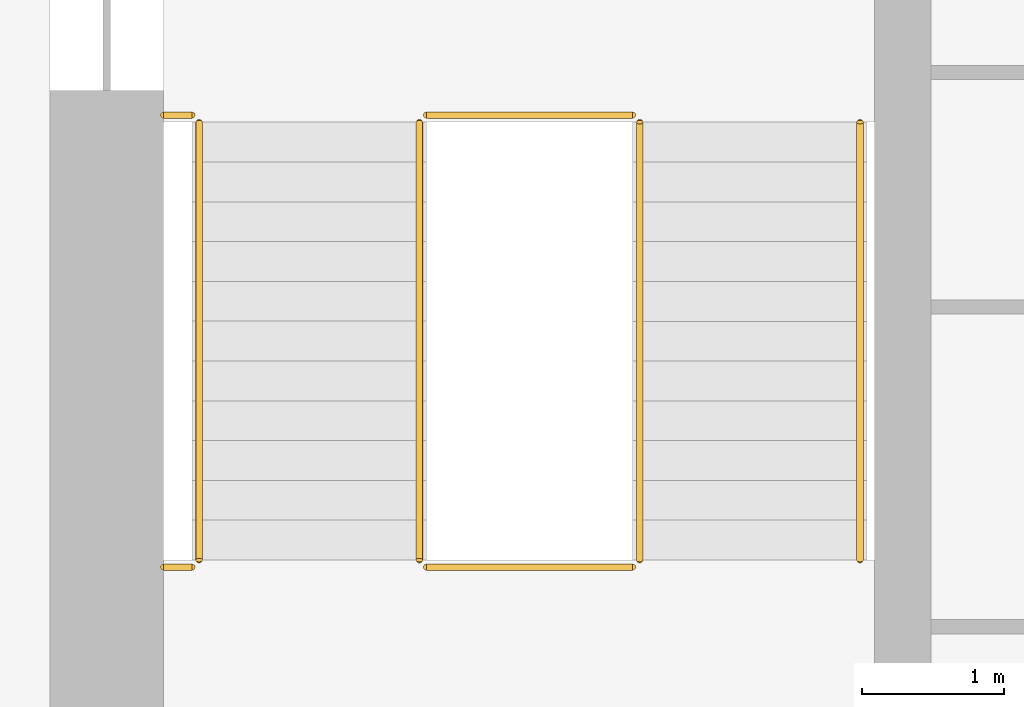
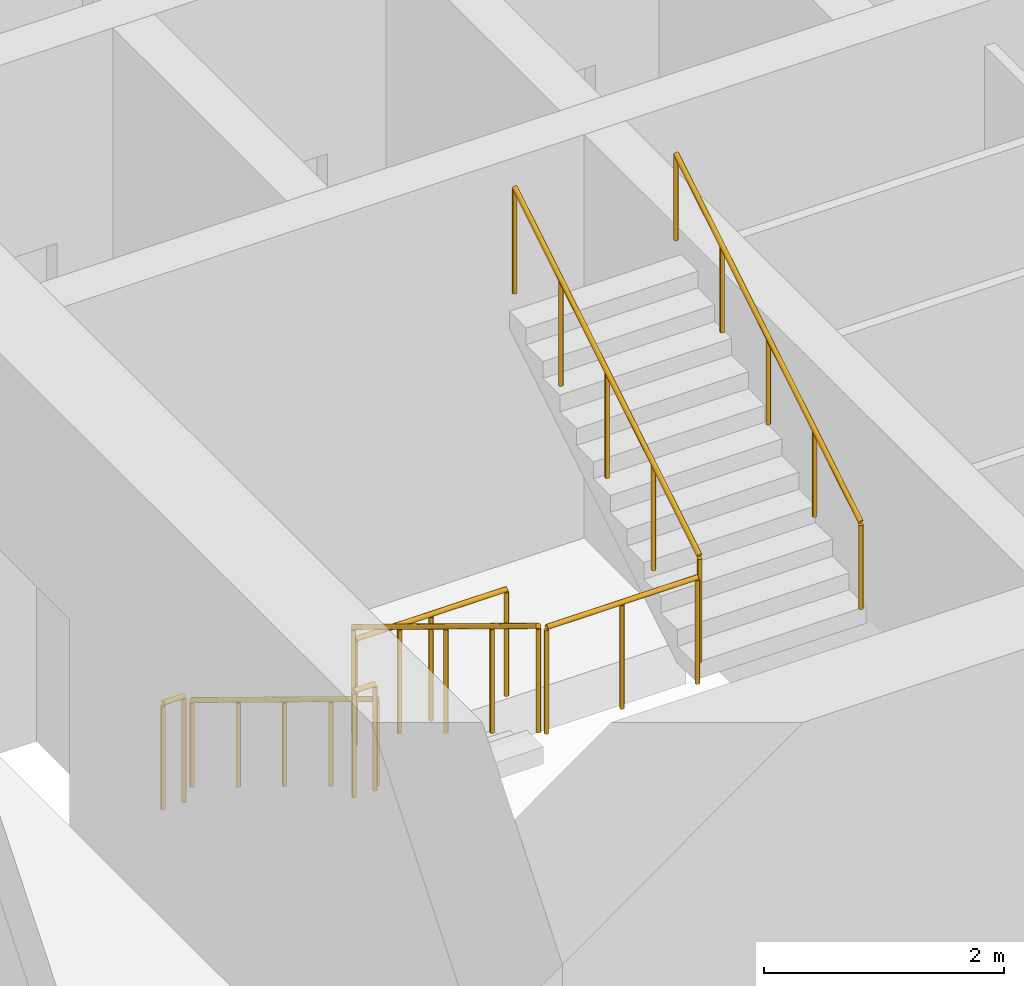
# One storey, part 10 of 16: 8 railings.
"""IFC4 building model written with IfcOpenShell, lengths in metres."""

from ifc_helpers import new_model, si_unit, direction, frame, origin, origin_2d, place, context, subcontext, project, spatial, circle, extrude, material, type_object, element, save


model = new_model("IFC4")

# Units and contexts
model_context = context("Model", 3, precision=1e-05, world=origin(), true_north=direction((0.0, 1.0)))
body_context = subcontext(model_context, "Body", "Model", "MODEL_VIEW")
ifc_project = project(units=[si_unit("LENGTHUNIT", "METRE"), si_unit("AREAUNIT", "SQUARE_METRE"), si_unit("VOLUMEUNIT", "CUBIC_METRE"), si_unit("PLANEANGLEUNIT", "RADIAN"), si_unit("MASSUNIT", "GRAM", prefix="KILO")], contexts=[model_context])

# Site, building, storey
site_placement = place(None, origin())
site = spatial("IfcSite", under=ifc_project, at=site_placement, CompositionType="ELEMENT")
building_placement = place(site_placement, origin())
building = spatial("IfcBuilding", under=site, at=building_placement, Name="Corbel Stack Research Tower", CompositionType="ELEMENT")
storey_placement = place(building_placement, frame((0.0, 0.0, 212.0)))
storey = spatial("IfcBuildingStorey", under=building, at=storey_placement, Name="L48", CompositionType="ELEMENT", Elevation=212.0)

# Railings
ifc_material_1 = material(Name="Steel S355", Category="steel")
railing_type_1 = type_object("IfcRailingType", Name="Stair guard 1100", PredefinedType="GUARDRAIL", material=ifc_material_1)
railing_1_placement = place(storey_placement, frame((-7.89990234375, -2.39990234375, 0.1708984375)))
element("IfcRailing", 1, at=railing_1_placement, inside=storey, type_object=railing_type_1, Name="L48 ST-W1 stair guard 1", PredefinedType="GUARDRAIL", context=body_context, shape_type="SweptSolid", body=[
    extrude(circle(Radius=0.02392578125, at=origin_2d()), frame((0.0, 0.0, 1.076171875), z_axis=(0.0, -0.853666305674, 0.52082035152), x_axis=(1.0, 0.0, 0.0)), (0.0, 0.0, 1.0), 3.608154296875),
    extrude(circle(Radius=0.02099609375, at=origin_2d()), origin(), (0.0, 0.0, 1.0), 1.052001953125),
    extrude(circle(Radius=0.02099609375, at=origin_2d()), frame((0.0, -0.77001953125, 0.4697265625)), (0.0, 0.0, 1.0), 1.052001953125),
    extrude(circle(Radius=0.02099609375, at=origin_2d()), frame((0.0, -1.5400390625, 0.939453125)), (0.0, 0.0, 1.0), 1.052001953125),
    extrude(circle(Radius=0.02099609375, at=origin_2d()), frame((0.0, -2.31005859375, 1.409423828125)), (0.0, 0.0, 1.0), 1.052001953125),
    extrude(circle(Radius=0.02099609375, at=origin_2d()), frame((0.0, -3.080078125, 1.879150390625)), (0.0, 0.0, 1.0), 1.052001953125),
])
railing_2_placement = place(storey_placement, frame((-7.85009765625, -5.530029296875, 2.050048828125)))
element("IfcRailing", 2, at=railing_2_placement, inside=storey, type_object=railing_type_1, Name="L48 ST-W1 stair guard 2", PredefinedType="GUARDRAIL", context=body_context, shape_type="SweptSolid", body=[
    extrude(circle(Radius=0.02392578125, at=origin_2d()), frame((0.0, 0.0, 1.076171875), z_axis=(1.0, 0.0, 0.0), x_axis=(0.0, 1.0, 0.0)), (0.0, 0.0, 1.0), 1.4501953125),
    extrude(circle(Radius=0.02099609375, at=origin_2d()), origin(), (0.0, 0.0, 1.0), 1.052001953125),
    extrude(circle(Radius=0.02099609375, at=origin_2d()), frame((0.72509765625, 0.0, 0.0)), (0.0, 0.0, 1.0), 1.052001953125),
    extrude(circle(Radius=0.02099609375, at=origin_2d()), frame((1.4501953125, 0.0, 0.0)), (0.0, 0.0, 1.0), 1.052001953125),
])
railing_3_placement = place(storey_placement, frame((-9.699951171875, -5.530029296875, 2.050048828125)))
element("IfcRailing", 3, at=railing_3_placement, inside=storey, type_object=railing_type_1, Name="L48 ST-W1 stair guard 3", PredefinedType="GUARDRAIL", context=body_context, shape_type="SweptSolid", body=[
    extrude(circle(Radius=0.02392578125, at=origin_2d()), frame((0.0, 0.0, 1.076171875), z_axis=(1.0, 0.0, 0.0), x_axis=(0.0, 1.0, 0.0)), (0.0, 0.0, 1.0), 0.199951171875),
    extrude(circle(Radius=0.02099609375, at=origin_2d()), origin(), (0.0, 0.0, 1.0), 1.052001953125),
    extrude(circle(Radius=0.02099609375, at=origin_2d()), frame((0.199951171875, 0.0, 0.0)), (0.0, 0.0, 1.0), 1.052001953125),
])
railing_4_placement = place(storey_placement, frame((-6.35009765625, -5.47998046875, 2.220947265625)))
element("IfcRailing", 4, at=railing_4_placement, inside=storey, type_object=railing_type_1, Name="L48 ST-W1 stair guard 4", PredefinedType="GUARDRAIL", context=body_context, shape_type="SweptSolid", body=[
    extrude(circle(Radius=0.02392578125, at=origin_2d()), frame((0.0, 0.0, 1.076171875), z_axis=(0.0, 0.853666305674, 0.52082035152), x_axis=(-1.0, 0.0, 0.0)), (0.0, 0.0, 1.0), 3.608154296875),
    extrude(circle(Radius=0.02099609375, at=origin_2d()), origin(), (0.0, 0.0, 1.0), 1.052001953125),
    extrude(circle(Radius=0.02099609375, at=origin_2d()), frame((0.0, 0.77001953125, 0.4697265625)), (0.0, 0.0, 1.0), 1.052001953125),
    extrude(circle(Radius=0.02099609375, at=origin_2d()), frame((0.0, 1.5400390625, 0.939453125)), (0.0, 0.0, 1.0), 1.052001953125),
    extrude(circle(Radius=0.02099609375, at=origin_2d()), frame((0.0, 2.31005859375, 1.409423828125)), (0.0, 0.0, 1.0), 1.052001953125),
    extrude(circle(Radius=0.02099609375, at=origin_2d()), frame((0.0, 3.080078125, 1.879150390625)), (0.0, 0.0, 1.0), 1.052001953125),
])
railing_5_placement = place(storey_placement, frame((-7.85009765625, -2.35009765625, 0.0)))
element("IfcRailing", 5, at=railing_5_placement, inside=storey, type_object=railing_type_1, Name="L48 ST-W1 stair guard 5", PredefinedType="GUARDRAIL", context=body_context, shape_type="SweptSolid", body=[
    extrude(circle(Radius=0.02392578125, at=origin_2d()), frame((0.0, 0.0, 1.076171875), z_axis=(1.0, 0.0, 0.0), x_axis=(0.0, 1.0, 0.0)), (0.0, 0.0, 1.0), 1.4501953125),
    extrude(circle(Radius=0.02099609375, at=origin_2d()), origin(), (0.0, 0.0, 1.0), 1.052001953125),
    extrude(circle(Radius=0.02099609375, at=origin_2d()), frame((0.72509765625, 0.0, 0.0)), (0.0, 0.0, 1.0), 1.052001953125),
    extrude(circle(Radius=0.02099609375, at=origin_2d()), frame((1.4501953125, 0.0, 0.0)), (0.0, 0.0, 1.0), 1.052001953125),
])
railing_6_placement = place(storey_placement, frame((-9.699951171875, -2.35009765625, 0.0)))
element("IfcRailing", 6, at=railing_6_placement, inside=storey, type_object=railing_type_1, Name="L48 ST-W1 stair guard 6", PredefinedType="GUARDRAIL", context=body_context, shape_type="SweptSolid", body=[
    extrude(circle(Radius=0.02392578125, at=origin_2d()), frame((0.0, 0.0, 1.076171875), z_axis=(1.0, 0.0, 0.0), x_axis=(0.0, 1.0, 0.0)), (0.0, 0.0, 1.0), 0.199951171875),
    extrude(circle(Radius=0.02099609375, at=origin_2d()), origin(), (0.0, 0.0, 1.0), 1.052001953125),
    extrude(circle(Radius=0.02099609375, at=origin_2d()), frame((0.199951171875, 0.0, 0.0)), (0.0, 0.0, 1.0), 1.052001953125),
])
ifc_material_2 = material(Name="Steel S355", Category="steel")
railing_type_2 = type_object("IfcRailingType", Name="Stair handrail 900", PredefinedType="HANDRAIL", material=ifc_material_2)
railing_7_placement = place(storey_placement, frame((-9.449951171875, -2.39990234375, 0.1708984375)))
element("IfcRailing", 7, at=railing_7_placement, inside=storey, type_object=railing_type_2, Name="L48 ST-W1 stair handrail 1", PredefinedType="HANDRAIL", context=body_context, shape_type="SweptSolid", body=[
    extrude(circle(Radius=0.02392578125, at=origin_2d()), frame((0.0, 0.0, 0.8759765625), z_axis=(0.0, -0.853666305674, 0.52082035152), x_axis=(1.0, 0.0, 0.0)), (0.0, 0.0, 1.0), 3.608154296875),
    extrude(circle(Radius=0.02099609375, at=origin_2d()), origin(), (0.0, 0.0, 1.0), 0.851806640625),
    extrude(circle(Radius=0.02099609375, at=origin_2d()), frame((0.0, -0.77001953125, 0.4697265625)), (0.0, 0.0, 1.0), 0.851806640625),
    extrude(circle(Radius=0.02099609375, at=origin_2d()), frame((0.0, -1.5400390625, 0.939453125)), (0.0, 0.0, 1.0), 0.851806640625),
    extrude(circle(Radius=0.02099609375, at=origin_2d()), frame((0.0, -2.31005859375, 1.409423828125)), (0.0, 0.0, 1.0), 0.851806640625),
    extrude(circle(Radius=0.02099609375, at=origin_2d()), frame((0.0, -3.080078125, 1.879150390625)), (0.0, 0.0, 1.0), 0.851806640625),
])
railing_8_placement = place(storey_placement, frame((-4.800048828125, -5.47998046875, 2.220947265625)))
element("IfcRailing", 8, at=railing_8_placement, inside=storey, type_object=railing_type_2, Name="L48 ST-W1 stair handrail 2", PredefinedType="HANDRAIL", context=body_context, shape_type="SweptSolid", body=[
    extrude(circle(Radius=0.02392578125, at=origin_2d()), frame((0.0, 0.0, 0.8759765625), z_axis=(0.0, 0.853666305674, 0.52082035152), x_axis=(-1.0, 0.0, 0.0)), (0.0, 0.0, 1.0), 3.608154296875),
    extrude(circle(Radius=0.02099609375, at=origin_2d()), origin(), (0.0, 0.0, 1.0), 0.851806640625),
    extrude(circle(Radius=0.02099609375, at=origin_2d()), frame((0.0, 0.77001953125, 0.4697265625)), (0.0, 0.0, 1.0), 0.851806640625),
    extrude(circle(Radius=0.02099609375, at=origin_2d()), frame((0.0, 1.5400390625, 0.939453125)), (0.0, 0.0, 1.0), 0.851806640625),
    extrude(circle(Radius=0.02099609375, at=origin_2d()), frame((0.0, 2.31005859375, 1.409423828125)), (0.0, 0.0, 1.0), 0.851806640625),
    extrude(circle(Radius=0.02099609375, at=origin_2d()), frame((0.0, 3.080078125, 1.879150390625)), (0.0, 0.0, 1.0), 0.851806640625),
])

save(model, "model.ifc")
